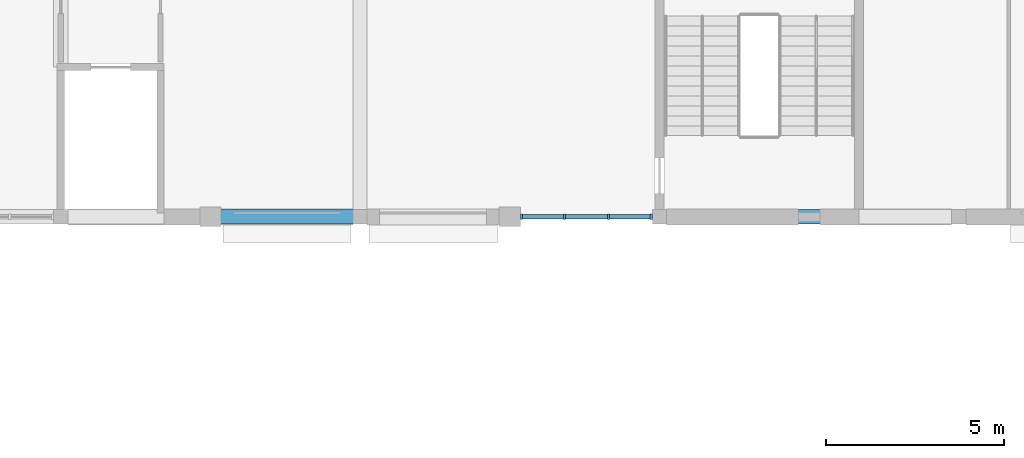
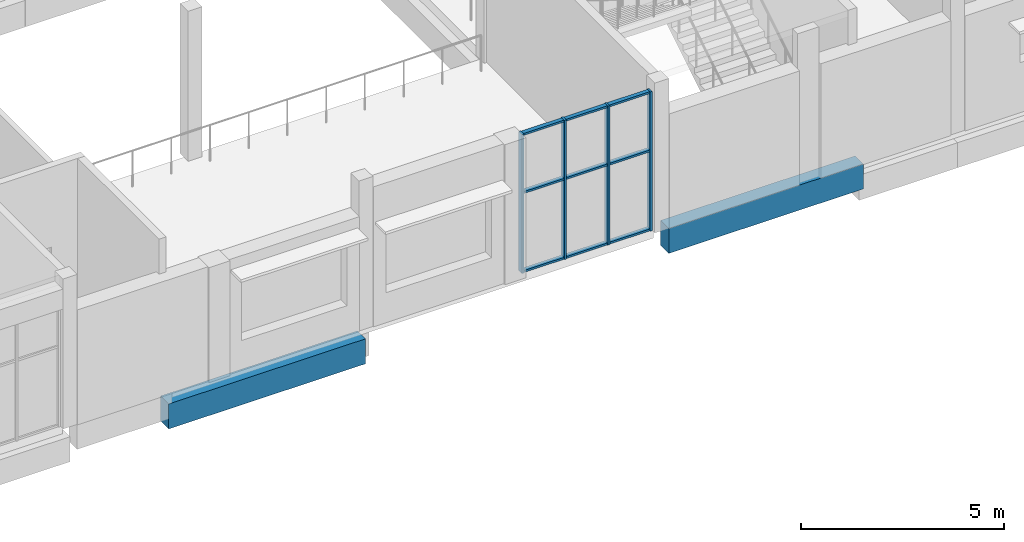
# One storey, part 14 of 38: 13 members, 2 beams, 1 element without a shape of its own.
"""IFC4 building model written with IfcOpenShell, lengths in metres."""

from ifc_helpers import new_model, si_unit, direction, frame, origin, origin_2d, place, context, subcontext, project, spatial, rectangle, extrude, material, material_profile, profile_set, type_object, element, aggregate, save


model = new_model("IFC4")

# Units and contexts
model_context = context("Model", 3, precision=1e-05, world=origin(), true_north=direction((0.0, 1.0)))
body_context = subcontext(model_context, "Body", "Model", "MODEL_VIEW")
ifc_project = project(units=[si_unit("LENGTHUNIT", "METRE"), si_unit("AREAUNIT", "SQUARE_METRE"), si_unit("VOLUMEUNIT", "CUBIC_METRE"), si_unit("PLANEANGLEUNIT", "RADIAN"), si_unit("MASSUNIT", "GRAM", prefix="KILO")], contexts=[model_context])

# Site, building, storey
site_placement = place(None, origin())
site = spatial("IfcSite", under=ifc_project, at=site_placement, CompositionType="ELEMENT")
building_placement = place(site_placement, origin())
building = spatial("IfcBuilding", under=site, at=building_placement, Name="Fescue Hill Polytechnic", CompositionType="ELEMENT")
storey_placement = place(building_placement, frame((0.0, 0.0, 18.0)))
storey = spatial("IfcBuildingStorey", under=building, at=storey_placement, Name="L04", CompositionType="ELEMENT", Elevation=18.0)

# Beams
ifc_material_1 = material(Name="Concrete 35 MPa", Category="concrete")
ifc_material_profile_1 = material_profile(ifc_material_1, rectangle(XDim=0.39990234375, YDim=0.75, at=origin_2d()), Name="RC 400x750")
ifc_profile_set_1 = profile_set([ifc_material_profile_1], Name="Concrete 35 MPa")
beam_type = type_object("IfcBeamType", Name="Beam RC 400x750", PredefinedType="BEAM", material=ifc_profile_set_1)
beam_1_placement = place(storey_placement, frame((78.39990234375, 109.199951171875, -0.675048828125), z_axis=(1.0, 0.0, 0.0), x_axis=(0.0, 1.0, 0.0)))
element("IfcBeam", 1, at=beam_1_placement, inside=storey, type_object=beam_type, Name="BM-L04-0095", PredefinedType="BEAM", context=body_context, shape_type="SweptSolid", body=[
    extrude(rectangle(XDim=0.39990234375, YDim=0.75, at=origin_2d()), origin(), (0.0, 0.0, 1.0), 5.590087890625),
])
beam_2_placement = place(storey_placement, frame((92.60009765625, 109.199951171875, -0.375), z_axis=(1.0, 0.0, 0.0), x_axis=(0.0, 1.0, 0.0)))
element("IfcBeam", 2, at=beam_2_placement, inside=storey, type_object=beam_type, Name="BM-L04-0132", PredefinedType="BEAM", context=body_context, shape_type="SweptSolid", body=[
    extrude(rectangle(XDim=0.39990234375, YDim=0.75, at=origin_2d()), origin(), (0.0, 0.0, 1.0), 5.52490234375),
])

# Curtain wall, members
ifc_material_2 = material(Name="Glass", Category="glass")
curtain_wall_type = type_object("IfcCurtainWallType", Name="Curtain wall structural glazing", PredefinedType="NOTDEFINED", material=ifc_material_2)
curtain_wall_placement = place(storey_placement, origin())
curtain_wall = element("IfcCurtainWall", 3, at=curtain_wall_placement, inside=storey, type_object=curtain_wall_type, Name="CW-L04-V4b-X2", PredefinedType="NOTDEFINED")
ifc_material_3 = material(Name="Powder-coated aluminium", Category="aluminium")
ifc_material_profile_2 = material_profile(ifc_material_3, rectangle(XDim=0.159912109375, YDim=0.06005859375, at=origin_2d()), Name="Mullion aluminium 60x160")
ifc_profile_set_2 = profile_set([ifc_material_profile_2], Name="Powder-coated aluminium")
member_type_1 = type_object("IfcMemberType", Name="Mullion aluminium 60x160", PredefinedType="MULLION", material=ifc_profile_set_2)
member_1_placement = place(storey_placement, frame((88.530029296875, 109.199951171875, 0.0), z_axis=(0.0, 0.0, 1.0), x_axis=(0.0, 1.0, 0.0)))
member_1 = element("IfcMember", 4, at=member_1_placement, type_object=member_type_1, Name="CW172 mullion 1", PredefinedType="MULLION", context=body_context, shape_type="SweptSolid", body=[
    extrude(rectangle(XDim=0.159912109375, YDim=0.06005859375, at=origin_2d()), origin(), (0.0, 0.0, 1.0), 4.179931640625),
])
member_2_placement = place(storey_placement, frame((89.7333984375, 109.199951171875, 0.0), z_axis=(0.0, 0.0, 1.0), x_axis=(0.0, 1.0, 0.0)))
member_2 = element("IfcMember", 5, at=member_2_placement, type_object=member_type_1, Name="CW172 mullion 2", PredefinedType="MULLION", context=body_context, shape_type="SweptSolid", body=[
    extrude(rectangle(XDim=0.159912109375, YDim=0.06005859375, at=origin_2d()), origin(), (0.0, 0.0, 1.0), 4.179931640625),
])
member_3_placement = place(storey_placement, frame((90.966552734375, 109.199951171875, 0.0), z_axis=(0.0, 0.0, 1.0), x_axis=(0.0, 1.0, 0.0)))
member_3 = element("IfcMember", 6, at=member_3_placement, type_object=member_type_1, Name="CW172 mullion 3", PredefinedType="MULLION", context=body_context, shape_type="SweptSolid", body=[
    extrude(rectangle(XDim=0.159912109375, YDim=0.06005859375, at=origin_2d()), origin(), (0.0, 0.0, 1.0), 4.179931640625),
])
member_4_placement = place(storey_placement, frame((92.169921875, 109.199951171875, 0.0), z_axis=(0.0, 0.0, 1.0), x_axis=(0.0, 1.0, 0.0)))
member_4 = element("IfcMember", 7, at=member_4_placement, type_object=member_type_1, Name="CW172 mullion 4", PredefinedType="MULLION", context=body_context, shape_type="SweptSolid", body=[
    extrude(rectangle(XDim=0.159912109375, YDim=0.06005859375, at=origin_2d()), origin(), (0.0, 0.0, 1.0), 4.179931640625),
])
ifc_material_profile_3 = material_profile(ifc_material_3, rectangle(XDim=0.1201171875, YDim=0.06005859375, at=origin_2d()), Name="Transom aluminium 60x120")
ifc_profile_set_3 = profile_set([ifc_material_profile_3], Name="Powder-coated aluminium")
member_type_2 = type_object("IfcMemberType", Name="Transom aluminium 60x120", PredefinedType="USERDEFINED", material=ifc_profile_set_3)
member_5_placement = place(storey_placement, frame((88.56005859375, 109.199951171875, 0.030029296875), z_axis=(1.0, 0.0, 0.0), x_axis=(0.0, 1.0, 0.0)))
member_5 = element("IfcMember", 8, at=member_5_placement, type_object=member_type_2, Name="CW172 transom 1.1", ObjectType="TRANSOM", PredefinedType="USERDEFINED", context=body_context, shape_type="SweptSolid", body=[
    extrude(rectangle(XDim=0.1201171875, YDim=0.06005859375, at=origin_2d()), origin(), (0.0, 0.0, 1.0), 1.143310546875),
])
member_6_placement = place(storey_placement, frame((88.56005859375, 109.199951171875, 2.39990234375), z_axis=(1.0, 0.0, 0.0), x_axis=(0.0, 1.0, 0.0)))
member_6 = element("IfcMember", 9, at=member_6_placement, type_object=member_type_2, Name="CW172 transom 1.2", ObjectType="TRANSOM", PredefinedType="USERDEFINED", context=body_context, shape_type="SweptSolid", body=[
    extrude(rectangle(XDim=0.1201171875, YDim=0.06005859375, at=origin_2d()), origin(), (0.0, 0.0, 1.0), 1.143310546875),
])
member_7_placement = place(storey_placement, frame((88.56005859375, 109.199951171875, 4.14990234375), z_axis=(1.0, 0.0, 0.0), x_axis=(0.0, 1.0, 0.0)))
member_7 = element("IfcMember", 10, at=member_7_placement, type_object=member_type_2, Name="CW172 transom 1.3", ObjectType="TRANSOM", PredefinedType="USERDEFINED", context=body_context, shape_type="SweptSolid", body=[
    extrude(rectangle(XDim=0.1201171875, YDim=0.06005859375, at=origin_2d()), origin(), (0.0, 0.0, 1.0), 1.143310546875),
])
member_8_placement = place(storey_placement, frame((89.763427734375, 109.199951171875, 0.030029296875), z_axis=(1.0, 0.0, 0.0), x_axis=(0.0, 1.0, 0.0)))
member_8 = element("IfcMember", 11, at=member_8_placement, type_object=member_type_2, Name="CW172 transom 2.1", ObjectType="TRANSOM", PredefinedType="USERDEFINED", context=body_context, shape_type="SweptSolid", body=[
    extrude(rectangle(XDim=0.1201171875, YDim=0.06005859375, at=origin_2d()), origin(), (0.0, 0.0, 1.0), 1.17333984375),
])
member_9_placement = place(storey_placement, frame((89.763427734375, 109.199951171875, 2.39990234375), z_axis=(1.0, 0.0, 0.0), x_axis=(0.0, 1.0, 0.0)))
member_9 = element("IfcMember", 12, at=member_9_placement, type_object=member_type_2, Name="CW172 transom 2.2", ObjectType="TRANSOM", PredefinedType="USERDEFINED", context=body_context, shape_type="SweptSolid", body=[
    extrude(rectangle(XDim=0.1201171875, YDim=0.06005859375, at=origin_2d()), origin(), (0.0, 0.0, 1.0), 1.17333984375),
])
member_10_placement = place(storey_placement, frame((89.763427734375, 109.199951171875, 4.14990234375), z_axis=(1.0, 0.0, 0.0), x_axis=(0.0, 1.0, 0.0)))
member_10 = element("IfcMember", 13, at=member_10_placement, type_object=member_type_2, Name="CW172 transom 2.3", ObjectType="TRANSOM", PredefinedType="USERDEFINED", context=body_context, shape_type="SweptSolid", body=[
    extrude(rectangle(XDim=0.1201171875, YDim=0.06005859375, at=origin_2d()), origin(), (0.0, 0.0, 1.0), 1.17333984375),
])
member_11_placement = place(storey_placement, frame((90.99658203125, 109.199951171875, 0.030029296875), z_axis=(1.0, 0.0, 0.0), x_axis=(0.0, 1.0, 0.0)))
member_11 = element("IfcMember", 14, at=member_11_placement, type_object=member_type_2, Name="CW172 transom 3.1", ObjectType="TRANSOM", PredefinedType="USERDEFINED", context=body_context, shape_type="SweptSolid", body=[
    extrude(rectangle(XDim=0.1201171875, YDim=0.06005859375, at=origin_2d()), origin(), (0.0, 0.0, 1.0), 1.143310546875),
])
member_12_placement = place(storey_placement, frame((90.99658203125, 109.199951171875, 2.39990234375), z_axis=(1.0, 0.0, 0.0), x_axis=(0.0, 1.0, 0.0)))
member_12 = element("IfcMember", 15, at=member_12_placement, type_object=member_type_2, Name="CW172 transom 3.2", ObjectType="TRANSOM", PredefinedType="USERDEFINED", context=body_context, shape_type="SweptSolid", body=[
    extrude(rectangle(XDim=0.1201171875, YDim=0.06005859375, at=origin_2d()), origin(), (0.0, 0.0, 1.0), 1.143310546875),
])
member_13_placement = place(storey_placement, frame((90.99658203125, 109.199951171875, 4.14990234375), z_axis=(1.0, 0.0, 0.0), x_axis=(0.0, 1.0, 0.0)))
member_13 = element("IfcMember", 16, at=member_13_placement, type_object=member_type_2, Name="CW172 transom 3.3", ObjectType="TRANSOM", PredefinedType="USERDEFINED", context=body_context, shape_type="SweptSolid", body=[
    extrude(rectangle(XDim=0.1201171875, YDim=0.06005859375, at=origin_2d()), origin(), (0.0, 0.0, 1.0), 1.143310546875),
])
aggregate(curtain_wall, [member_1, member_2, member_3, member_4, member_5, member_6, member_7, member_8, member_9, member_10, member_11, member_12, member_13])

save(model, "model.ifc")
